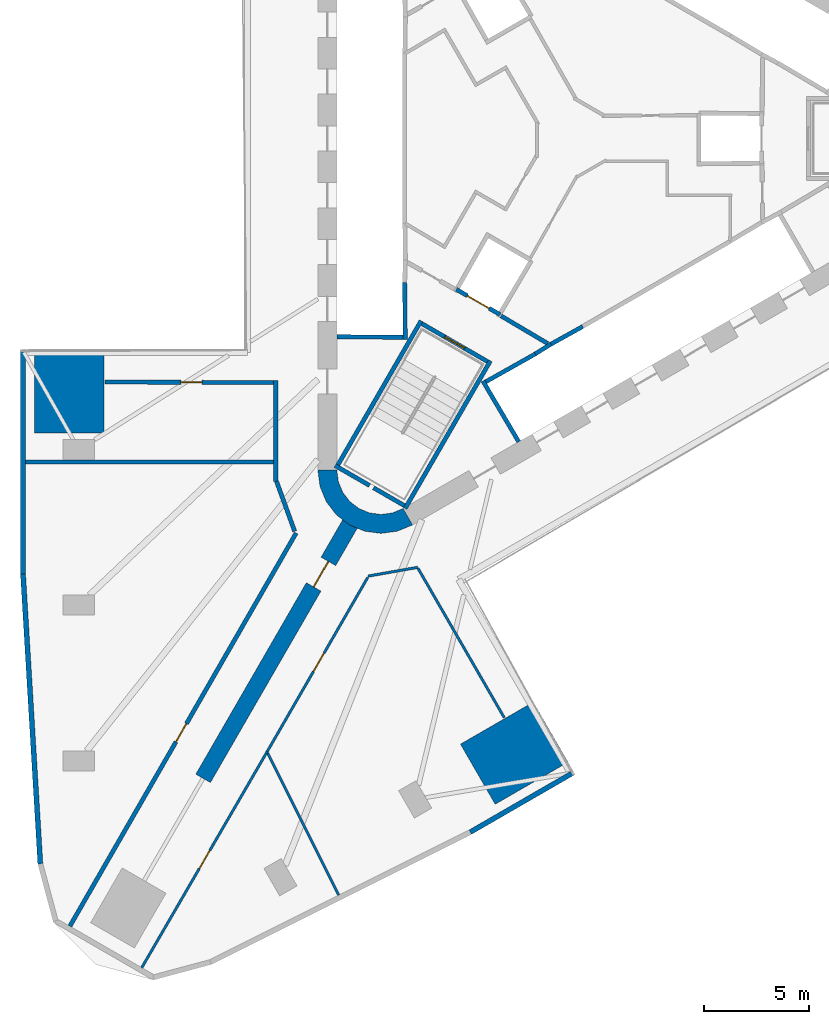
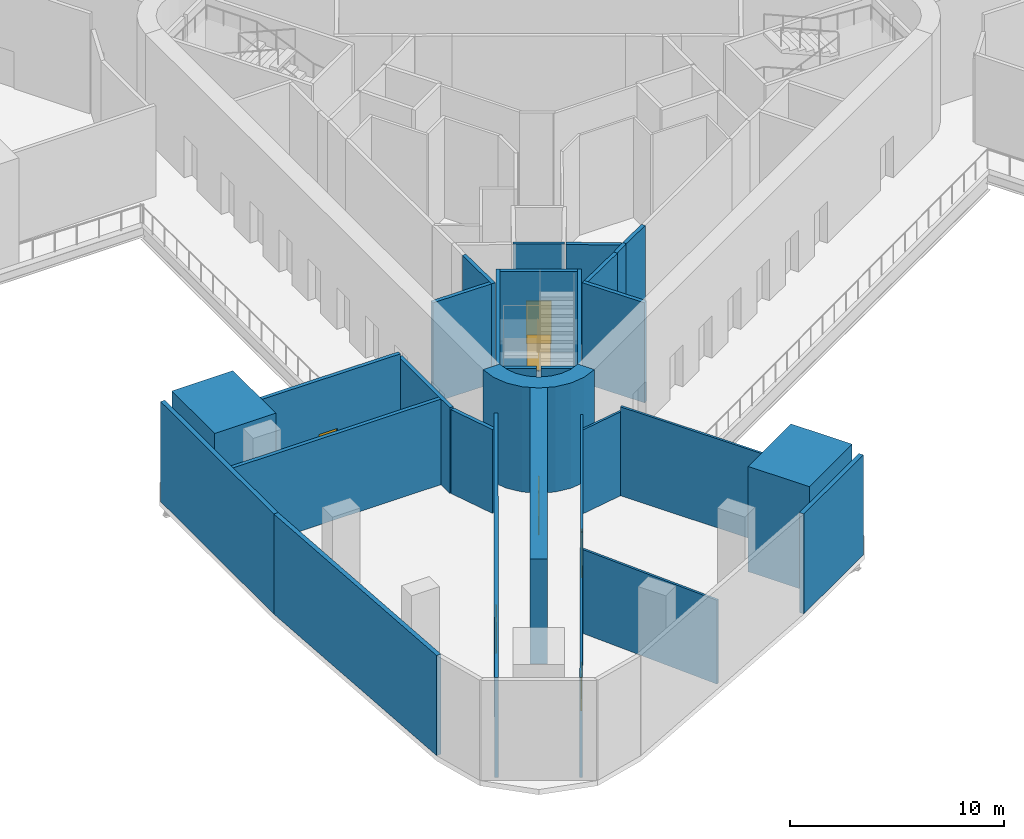
# One storey, part 3 of 11: 30 walls, 7 doors, 7 openings.
"""IFC4 building model written with IfcOpenShell, lengths in metres."""

from ifc_helpers import new_model, si_unit, direction, frame, frame_2d, origin, place, context, subcontext, project, spatial, polyline, rectangle, outline, extrude, material, layer, layer_set, type_object, element, fill, save


model = new_model("IFC4")

# Units and contexts
model_context = context("Model", 3, precision=1e-05, world=origin(), true_north=direction((0.0, 1.0)))
body_context = subcontext(model_context, "Body", "Model", "MODEL_VIEW")
ifc_project = project(units=[si_unit("LENGTHUNIT", "METRE"), si_unit("AREAUNIT", "SQUARE_METRE"), si_unit("VOLUMEUNIT", "CUBIC_METRE"), si_unit("PLANEANGLEUNIT", "RADIAN"), si_unit("MASSUNIT", "GRAM", prefix="KILO")], contexts=[model_context])

# Site, building, storey
site_placement = place(None, origin())
site = spatial("IfcSite", under=ifc_project, at=site_placement, CompositionType="ELEMENT")
building_placement = place(site_placement, origin())
building = spatial("IfcBuilding", under=site, at=building_placement, Name="Tanit Gate Tower", CompositionType="ELEMENT")
storey_placement = place(building_placement, frame((0.0, 0.0, 27.5)))
storey = spatial("IfcBuildingStorey", under=building, at=storey_placement, Name="L04", CompositionType="ELEMENT", Elevation=27.5)

# Wall, opening, door
ifc_material_1 = material(Name="Concrete C60/75", Category="concrete")
ifc_layer_1 = layer(ifc_material_1, 0.800048828125)
ifc_layer_set_1 = layer_set([ifc_layer_1], Name="BUTTRESS FIN 800 C60/75")
wall_type_1 = type_object("IfcWallType", Name="BUTTRESS FIN 800 C60/75", PredefinedType="SHEAR", material=ifc_layer_set_1)
wall_1_placement = place(storey_placement, frame((-10.574951171875, -18.31640625, 0.0), z_axis=(0.0, 0.0, 1.0), x_axis=(-0.499996575515, -0.866027380903, 0.0)))
wall_1 = element("IfcWall", 1, at=wall_1_placement, inside=storey, type_object=wall_type_1, Name="BUTTRESS FIN", PredefinedType="SHEAR", context=body_context, shape_type="SweptSolid", body=[
    extrude(rectangle(XDim=13.9541015625, YDim=0.800048828125, at=frame_2d((6.97705078125, 0.0))), origin(), (0.0, 0.0, 1.0), 6.0),
])
opening_1_placement = place(wall_1_placement, frame((2.050048828125, 0.0, 0.0)))
opening_1 = element("IfcOpeningElement", 2, at=opening_1_placement, cuts=wall_1, Name="Opening P14-04-F-SW-1", PredefinedType="OPENING", context=body_context, shape_type="SweptSolid", body=[
    extrude(rectangle(XDim=1.39990234375, YDim=2.39990234375, at=frame_2d((0.699951171875, 1.199951171875))), frame((0.0, 0.41015625, 0.0), z_axis=(0.0, -1.0, 0.0), x_axis=(1.0, 0.0, 0.0)), (0.0, 0.0, 1.0), 0.820068359375),
])
ifc_material_2 = material(Name="Timber door leaf", Category="wood")
door_type_1 = type_object("IfcDoorType", Name="INT-DOOR-FIN-PAIR-1400", OperationType="NOTDEFINED", PredefinedType="NOTDEFINED", material=ifc_material_2)
door_1_placement = place(opening_1_placement, origin())
door_1 = element("IfcDoor", 3, at=door_1_placement, inside=storey, type_object=door_type_1, Name="Door P14-04-F-SW-1", OperationType="DOUBLE_DOOR_SINGLE_SWING", OverallHeight=2.39990234375, OverallWidth=1.39990234375, PredefinedType="NOTDEFINED", context=body_context, shape_type="SweptSolid", body=[
    extrude(rectangle(XDim=1.39990234375, YDim=2.39990234375, at=frame_2d((0.699951171875, 1.199951171875))), frame((0.0, 0.02490234375, 0.0), z_axis=(0.0, -1.0, 0.0), x_axis=(1.0, 0.0, 0.0)), (0.0, 0.0, 1.0), 0.050048828125),
])
fill(opening_1, door_1)

# Walls
ifc_material_3 = material(Name="Concrete C60/75", Category="concrete")
ifc_layer_2 = layer(ifc_material_3, 0.89990234375)
ifc_layer_set_2 = layer_set([ifc_layer_2], Name="CORE WALL 900 C60/75")
wall_type_2 = type_object("IfcWallType", Name="CORE WALL 900 C60/75", PredefinedType="SHEAR", material=ifc_layer_set_2)
wall_2_placement = place(storey_placement, origin())
element("IfcWall", 4, at=wall_2_placement, inside=storey, type_object=wall_type_2, Name="CORE WALL CORNER", PredefinedType="SHEAR", context=body_context, shape_type="SweptSolid", body=[
    extrude(outline(polyline([(-12.10009765625, -15.76171875), (-11.997802734375, -16.5380859375), (-11.697998046875, -17.26171875), (-11.22119140625, -17.883056640625), (-10.60009765625, -18.359619140625), (-9.87646484375, -18.659423828125), (-9.10009765625, -18.76171875), (-8.323486328125, -18.659423828125), (-7.60009765625, -18.359619140625), (-8.050048828125, -17.580322265625), (-8.556396484375, -17.7900390625), (-9.10009765625, -17.86181640625), (-9.6435546875, -17.7900390625), (-10.14990234375, -17.580322265625), (-10.5849609375, -17.24658203125), (-10.918701171875, -16.811767578125), (-11.12841796875, -16.30517578125), (-11.199951171875, -15.76171875), (-12.10009765625, -15.76171875)])), origin(), (0.0, 0.0, 1.0), 6.0),
])
ifc_material_4 = material(Name="Concrete C30/37 with bronze anodised aluminium cladding", Category="concrete")
ifc_layer_3 = layer(ifc_material_4, 0.239990234375)
ifc_layer_set_3 = layer_set([ifc_layer_3], Name="Facade wall bronze clad 240")
wall_type_3 = type_object("IfcWallType", Name="Facade wall bronze clad 240", PredefinedType="SOLIDWALL", material=ifc_layer_set_3)
wall_3_placement = place(storey_placement, frame((-26.107666015625, -10.119384765625, 0.0), z_axis=(0.0, 0.0, 1.0), x_axis=(6.9319284e-05, -0.999999997597, 0.0)))
element("IfcWall", 5, at=wall_3_placement, inside=storey, type_object=wall_type_3, Name="Bronze-clad facade wall L04 W2b", PredefinedType="SOLIDWALL", context=body_context, shape_type="SweptSolid", body=[
    extrude(rectangle(XDim=10.56591796875, YDim=0.239990234375, at=frame_2d((5.282958984375, 0.0))), origin(), (0.0, 0.0, 1.0), 5.699951171875),
])
wall_4_placement = place(storey_placement, frame((-26.10693359375, -20.685302734375, 0.0), z_axis=(0.0, 0.0, 1.0), x_axis=(0.059596169304, -0.998222568671, 0.0)))
element("IfcWall", 6, at=wall_4_placement, inside=storey, type_object=wall_type_3, Name="Bronze-clad facade wall L04 W3", PredefinedType="SOLIDWALL", context=body_context, shape_type="SweptSolid", body=[
    extrude(rectangle(XDim=13.80126953125, YDim=0.239990234375, at=frame_2d((6.900634765625, 0.0))), origin(), (0.0, 0.0, 1.0), 5.699951171875),
])
wall_5_placement = place(storey_placement, frame((-4.859130859375, -32.954345703125, 0.0), z_axis=(0.0, 0.0, 1.0), x_axis=(0.865999312459, 0.500045188778, 0.0)))
element("IfcWall", 7, at=wall_5_placement, inside=storey, type_object=wall_type_3, Name="Bronze-clad facade wall L04 SE2a", PredefinedType="SOLIDWALL", context=body_context, shape_type="SweptSolid", body=[
    extrude(rectangle(XDim=5.56591796875, YDim=0.239990234375, at=frame_2d((2.782958984375, 0.0))), origin(), (0.0, 0.0, 1.0), 5.699951171875),
])
ifc_material_5 = material(Name="Fire-rated gypsum board partition")
ifc_layer_4 = layer(ifc_material_5, 0.199951171875)
ifc_layer_set_4 = layer_set([ifc_layer_4], Name="INT-WALL-COMPARTMENT")
wall_type_4 = type_object("IfcWallType", Name="INT-WALL-COMPARTMENT", PredefinedType="PARTITIONING", material=ifc_layer_set_4)
wall_6_placement = place(storey_placement, frame((-3.400634765625, -8.43017578125, 0.0), z_axis=(0.0, 0.0, 1.0), x_axis=(0.860615607571, -0.509255118781, 0.0)))
element("IfcWall", 8, at=wall_6_placement, inside=storey, type_object=wall_type_4, Name="Wall Compartment W066", PredefinedType="PARTITIONING", context=body_context, shape_type="SweptSolid", body=[
    extrude(rectangle(XDim=2.58056640625, YDim=0.199951171875, at=frame_2d((1.290283203125, 0.0))), origin(), (0.0, 0.0, 1.0), 5.699951171875),
])
wall_7_placement = place(storey_placement, frame((-14.10107421875, -11.500244140625, 0.0), z_axis=(0.0, 0.0, 1.0), x_axis=(0.000254660275, -0.999999967574, 0.0)))
element("IfcWall", 9, at=wall_7_placement, inside=storey, type_object=wall_type_4, Name="Wall Compartment W093", PredefinedType="PARTITIONING", context=body_context, shape_type="SweptSolid", body=[
    extrude(rectangle(XDim=4.79345703125, YDim=0.199951171875, at=frame_2d((2.396728515625, 0.0))), origin(), (0.0, 0.0, 1.0), 4.8798828125),
])

# Wall, opening, door
wall_8_placement = place(storey_placement, frame((-22.203369140625, -11.570068359375, 0.0), z_axis=(0.0, 0.0, 1.0), x_axis=(0.999993072975, -0.003722096437, 0.0)))
wall_8 = element("IfcWall", 10, at=wall_8_placement, inside=storey, type_object=wall_type_4, Name="Wall Compartment W094", PredefinedType="PARTITIONING", context=body_context, shape_type="SweptSolid", body=[
    extrude(rectangle(XDim=8.002197265625, YDim=0.199951171875, at=frame_2d((4.0009765625, 0.0))), origin(), (0.0, 0.0, 1.0), 5.169921875),
])
opening_2_placement = place(wall_8_placement, frame((3.60009765625, 0.0, 0.0)))
opening_2 = element("IfcOpeningElement", 11, at=opening_2_placement, cuts=wall_8, Name="Opening F10-04-17", PredefinedType="OPENING", context=body_context, shape_type="SweptSolid", body=[
    extrude(rectangle(XDim=1.0, YDim=2.10009765625, at=frame_2d((0.5, 1.050048828125))), frame((0.0, 0.10986328125, 0.0), z_axis=(0.0, -1.0, 0.0), x_axis=(1.0, 0.0, 0.0)), (0.0, 0.0, 1.0), 0.219970703125),
])
ifc_material_6 = material(Name="Fire-rated steel door leaf", Category="steel")
door_type_2 = type_object("IfcDoorType", Name="INT-DOOR-FIRE-1000", OperationType="NOTDEFINED", PredefinedType="USERDEFINED", material=ifc_material_6)
door_2_placement = place(opening_2_placement, origin())
door_2 = element("IfcDoor", 12, at=door_2_placement, inside=storey, type_object=door_type_2, Name="Door F10-04-17", ObjectType="FIRE DOOR", OperationType="SINGLE_SWING_LEFT", OverallHeight=2.10009765625, OverallWidth=1.0, PredefinedType="USERDEFINED", context=body_context, shape_type="SweptSolid", body=[
    extrude(rectangle(XDim=1.0, YDim=2.10009765625, at=frame_2d((0.5, 1.050048828125))), frame((0.0, 0.02490234375, 0.0), z_axis=(0.0, -1.0, 0.0), x_axis=(1.0, 0.0, 0.0)), (0.0, 0.0, 1.0), 0.050048828125),
])
fill(opening_2, door_2)

wall_9_placement = place(storey_placement, frame((-23.880859375, -37.42041015625, 0.0), z_axis=(0.0, 0.0, 1.0), x_axis=(0.498838330943, 0.866695055704, 0.0)))
wall_9 = element("IfcWall", 13, at=wall_9_placement, inside=storey, type_object=wall_type_4, Name="Wall Compartment W095", PredefinedType="PARTITIONING", context=body_context, shape_type="SweptSolid", body=[
    extrude(rectangle(XDim=21.545166015625, YDim=0.199951171875, at=frame_2d((10.7724609375, 0.0))), origin(), (0.0, 0.0, 1.0), 5.699951171875),
])
opening_3_placement = place(wall_9_placement, frame((10.099365234375, 0.0, 0.0)))
opening_3 = element("IfcOpeningElement", 14, at=opening_3_placement, cuts=wall_9, Name="Opening F10-04-18", PredefinedType="OPENING", context=body_context, shape_type="SweptSolid", body=[
    extrude(rectangle(XDim=1.0, YDim=2.10009765625, at=frame_2d((0.5, 1.050048828125))), frame((0.0, 0.10986328125, 0.0), z_axis=(0.0, -1.0, 0.0), x_axis=(1.0, 0.0, 0.0)), (0.0, 0.0, 1.0), 0.219970703125),
])
door_3_placement = place(opening_3_placement, origin())
door_3 = element("IfcDoor", 15, at=door_3_placement, inside=storey, type_object=door_type_2, Name="Door F10-04-18", ObjectType="FIRE DOOR", OperationType="SINGLE_SWING_RIGHT", OverallHeight=2.10009765625, OverallWidth=1.0, PredefinedType="USERDEFINED", context=body_context, shape_type="SweptSolid", body=[
    extrude(rectangle(XDim=1.0, YDim=2.10009765625, at=frame_2d((0.5, 1.050048828125))), frame((0.0, 0.02490234375, 0.0), z_axis=(0.0, -1.0, 0.0), x_axis=(1.0, 0.0, 0.0)), (0.0, 0.0, 1.0), 0.050048828125),
])
fill(opening_3, door_3)

# Walls
wall_10_placement = place(storey_placement, frame((-14.06591796875, -16.28759765625, 0.0), z_axis=(0.0, 0.0, 1.0), x_axis=(0.34185155067, -0.939753966368, 0.0)))
element("IfcWall", 16, at=wall_10_placement, inside=storey, type_object=wall_type_4, Name="Wall Compartment W096", PredefinedType="PARTITIONING", context=body_context, shape_type="SweptSolid", body=[
    extrude(rectangle(XDim=2.529541015625, YDim=0.199951171875, at=frame_2d((1.2646484375, 0.0))), origin(), (0.0, 0.0, 1.0), 4.780029296875),
])
wall_11_placement = place(storey_placement, frame((-14.199951171875, -15.37158203125, 0.0), z_axis=(0.0, 0.0, 1.0), x_axis=(-0.999999998068, -6.2161994e-05, 0.0)))
element("IfcWall", 17, at=wall_11_placement, inside=storey, type_object=wall_type_4, Name="Wall Compartment W102", PredefinedType="PARTITIONING", context=body_context, shape_type="SweptSolid", body=[
    extrude(rectangle(XDim=11.782470703125, YDim=0.199951171875, at=frame_2d((5.89111328125, 0.0))), origin(), (0.0, 0.0, 1.0), 4.8798828125),
])

# Wall, opening, door
ifc_material_7 = material(Name="Gypsum board partition")
ifc_layer_5 = layer(ifc_material_7, 0.1201171875)
ifc_layer_set_5 = layer_set([ifc_layer_5], Name="INT-WALL-PARTITION")
wall_type_5 = type_object("IfcWallType", Name="INT-WALL-PARTITION", PredefinedType="PARTITIONING", material=ifc_layer_set_5)
wall_12_placement = place(storey_placement, frame((-14.5087890625, -29.129638671875, 0.0), z_axis=(0.0, 0.0, 1.0), x_axis=(-0.502061062741, -0.864832174054, 0.0)))
wall_12 = element("IfcWall", 18, at=wall_12_placement, inside=storey, type_object=wall_type_5, Name="Wall Partition W117", PredefinedType="PARTITIONING", context=body_context, shape_type="SweptSolid", body=[
    extrude(rectangle(XDim=11.8662109375, YDim=0.1201171875, at=frame_2d((5.93310546875, 0.0))), origin(), (0.0, 0.0, 1.0), 5.699951171875),
])
opening_4_placement = place(wall_12_placement, frame((5.432373046875, 0.0, 0.0)))
opening_4 = element("IfcOpeningElement", 19, at=opening_4_placement, cuts=wall_12, Name="Opening D10-04-24", PredefinedType="OPENING", context=body_context, shape_type="SweptSolid", body=[
    extrude(rectangle(XDim=1.0, YDim=2.10009765625, at=frame_2d((0.5, 1.050048828125))), frame((0.0, 0.070068359375, 0.0), z_axis=(0.0, -1.0, 0.0), x_axis=(1.0, 0.0, 0.0)), (0.0, 0.0, 1.0), 0.14013671875),
])
ifc_material_8 = material(Name="Timber door leaf", Category="wood")
door_type_3 = type_object("IfcDoorType", Name="INT-DOOR-SINGLE-1000", OperationType="NOTDEFINED", PredefinedType="NOTDEFINED", material=ifc_material_8)
door_4_placement = place(opening_4_placement, origin())
door_4 = element("IfcDoor", 20, at=door_4_placement, inside=storey, type_object=door_type_3, Name="Door D10-04-24", OperationType="SINGLE_SWING_LEFT", OverallHeight=2.10009765625, OverallWidth=1.0, PredefinedType="NOTDEFINED", context=body_context, shape_type="SweptSolid", body=[
    extrude(rectangle(XDim=1.0, YDim=2.10009765625, at=frame_2d((0.5, 1.050048828125))), frame((0.0, 0.02490234375, 0.0), z_axis=(0.0, -1.0, 0.0), x_axis=(1.0, 0.0, 0.0)), (0.0, 0.0, 1.0), 0.050048828125),
])
fill(opening_4, door_4)

# Wall
wall_13_placement = place(storey_placement, frame((-9.7197265625, -20.79248046875, 0.0), z_axis=(0.0, 0.0, 1.0), x_axis=(0.984776352386, 0.173826165409, 0.0)))
element("IfcWall", 21, at=wall_13_placement, inside=storey, type_object=wall_type_5, Name="Wall Partition W118", PredefinedType="PARTITIONING", context=body_context, shape_type="SweptSolid", body=[
    extrude(rectangle(XDim=2.3876953125, YDim=0.1201171875, at=frame_2d((1.19384765625, 0.0))), origin(), (0.0, 0.0, 1.0), 4.780029296875),
])

# Wall, opening, door
wall_14_placement = place(storey_placement, frame((-9.7314453125, -20.85546875, 0.0), z_axis=(0.0, 0.0, 1.0), x_axis=(-0.500000422144, -0.866025160059, 0.0)))
wall_14 = element("IfcWall", 22, at=wall_14_placement, inside=storey, type_object=wall_type_5, Name="Wall Partition W119", PredefinedType="PARTITIONING", context=body_context, shape_type="SweptSolid", body=[
    extrude(rectangle(XDim=9.55419921875, YDim=0.1201171875, at=frame_2d((4.777099609375, 0.0))), origin(), (0.0, 0.0, 1.0), 5.699951171875),
])
opening_5_placement = place(wall_14_placement, frame((4.151611328125, 0.0, 0.0)))
opening_5 = element("IfcOpeningElement", 23, at=opening_5_placement, cuts=wall_14, Name="Opening D10-04-25", PredefinedType="OPENING", context=body_context, shape_type="SweptSolid", body=[
    extrude(rectangle(XDim=1.0, YDim=2.10009765625, at=frame_2d((0.5, 1.050048828125))), frame((0.0, 0.070068359375, 0.0), z_axis=(0.0, -1.0, 0.0), x_axis=(1.0, 0.0, 0.0)), (0.0, 0.0, 1.0), 0.14013671875),
])
door_5_placement = place(opening_5_placement, origin())
door_5 = element("IfcDoor", 24, at=door_5_placement, inside=storey, type_object=door_type_3, Name="Door D10-04-25", OperationType="SINGLE_SWING_RIGHT", OverallHeight=2.10009765625, OverallWidth=1.0, PredefinedType="NOTDEFINED", context=body_context, shape_type="SweptSolid", body=[
    extrude(rectangle(XDim=1.0, YDim=2.10009765625, at=frame_2d((0.5, 1.050048828125))), frame((0.0, 0.02490234375, 0.0), z_axis=(0.0, -1.0, 0.0), x_axis=(1.0, 0.0, 0.0)), (0.0, 0.0, 1.0), 0.050048828125),
])
fill(opening_5, door_5)

# Walls
wall_15_placement = place(storey_placement, frame((-7.35009765625, -20.409423828125, 0.0), z_axis=(0.0, 0.0, 1.0), x_axis=(0.500015278874, -0.866016582343, 0.0)))
element("IfcWall", 25, at=wall_15_placement, inside=storey, type_object=wall_type_5, Name="Wall Partition W120", PredefinedType="PARTITIONING", context=body_context, shape_type="SweptSolid", body=[
    extrude(rectangle(XDim=8.203369140625, YDim=0.1201171875, at=frame_2d((4.1015625, 0.0))), origin(), (0.0, 0.0, 1.0), 5.070068359375),
])
wall_16_placement = place(storey_placement, frame((-14.483154296875, -29.20556640625, 0.0), z_axis=(0.0, 0.0, 1.0), x_axis=(0.447291377977, -0.894388295533, 0.0)))
element("IfcWall", 26, at=wall_16_placement, inside=storey, type_object=wall_type_5, Name="Wall Partition W125", PredefinedType="PARTITIONING", context=body_context, shape_type="SweptSolid", body=[
    extrude(rectangle(XDim=7.532958984375, YDim=0.1201171875, at=frame_2d((3.7666015625, 0.0))), origin(), (0.0, 0.0, 1.0), 4.780029296875),
])
ifc_material_9 = material(Name="Gypsum shaft wall system")
ifc_layer_6 = layer(ifc_material_9, 0.199951171875)
ifc_layer_set_6 = layer_set([ifc_layer_6], Name="INT-WALL-SHAFT")
wall_type_6 = type_object("IfcWallType", Name="INT-WALL-SHAFT", PredefinedType="PLUMBINGWALL", material=ifc_layer_set_6)
wall_17_placement = place(storey_placement, frame((-7.97900390625, -6.85009765625, 0.0), z_axis=(0.0, 0.0, 1.0), x_axis=(0.011121475088, -0.999938154483, 0.0)))
element("IfcWall", 27, at=wall_17_placement, inside=storey, type_object=wall_type_6, Name="Wall Shaft W011", PredefinedType="PLUMBINGWALL", context=body_context, shape_type="SweptSolid", body=[
    extrude(rectangle(XDim=2.7001953125, YDim=0.199951171875, at=frame_2d((1.35009765625, 0.0))), origin(), (0.0, 0.0, 1.0), 5.699951171875),
])
wall_18_placement = place(storey_placement, frame((-8.050048828125, -9.448974609375, 0.0), z_axis=(0.0, 0.0, 1.0), x_axis=(-0.999957467379, 0.009222983926, 0.0)))
element("IfcWall", 28, at=wall_18_placement, inside=storey, type_object=wall_type_6, Name="Wall Shaft W012", PredefinedType="PLUMBINGWALL", context=body_context, shape_type="SweptSolid", body=[
    extrude(rectangle(XDim=3.150146484375, YDim=0.199951171875, at=frame_2d((1.5751953125, 0.0))), origin(), (0.0, 0.0, 1.0), 5.699951171875),
])
wall_19_placement = place(storey_placement, frame((-2.557861328125, -14.409423828125, 0.0), z_axis=(0.0, 0.0, 1.0), x_axis=(-0.507997497166, 0.861358544901, 0.0)))
element("IfcWall", 29, at=wall_19_placement, inside=storey, type_object=wall_type_6, Name="Wall Shaft W027", PredefinedType="PLUMBINGWALL", context=body_context, shape_type="SweptSolid", body=[
    extrude(rectangle(XDim=3.350341796875, YDim=0.199951171875, at=frame_2d((1.67529296875, 0.0))), origin(), (0.0, 0.0, 1.0), 5.699951171875),
])
wall_20_placement = place(storey_placement, frame((-1.7685546875, -10.23681640625, 0.0), z_axis=(0.0, 0.0, 1.0), x_axis=(-0.871534483978, -0.490334215854, 0.0)))
element("IfcWall", 30, at=wall_20_placement, inside=storey, type_object=wall_type_6, Name="Wall Shaft W028", PredefinedType="PLUMBINGWALL", context=body_context, shape_type="SweptSolid", body=[
    extrude(rectangle(XDim=2.7001953125, YDim=0.199951171875, at=frame_2d((1.35009765625, 0.0))), origin(), (0.0, 0.0, 1.0), 5.699951171875),
])
wall_21_placement = place(storey_placement, frame((-1.02392578125, -9.77099609375, 0.0), z_axis=(0.0, 0.0, 1.0), x_axis=(-0.850348075135, -0.526220629693, 0.0)))
element("IfcWall", 31, at=wall_21_placement, inside=storey, type_object=wall_type_6, Name="Wall Shaft W029", PredefinedType="PLUMBINGWALL", context=body_context, shape_type="SweptSolid", body=[
    extrude(rectangle(XDim=0.878173828125, YDim=0.199951171875, at=frame_2d((0.43896484375, 0.0))), origin(), (0.0, 0.0, 1.0), 5.699951171875),
])
wall_22_placement = place(storey_placement, frame((-1.130126953125, -9.831298828125, 0.0), z_axis=(0.0, 0.0, 1.0), x_axis=(0.874269620932, 0.485440655401, 0.0)))
element("IfcWall", 32, at=wall_22_placement, inside=storey, type_object=wall_type_6, Name="Wall Shaft W030", PredefinedType="PLUMBINGWALL", context=body_context, shape_type="SweptSolid", body=[
    extrude(rectangle(XDim=1.8447265625, YDim=0.199951171875, at=frame_2d((0.92236328125, 0.0))), origin(), (0.0, 0.0, 1.0), 5.699951171875),
])

# Wall, opening, door
wall_23_placement = place(storey_placement, frame((-3.44580078125, -8.3681640625, 0.0), z_axis=(0.0, 0.0, 1.0), x_axis=(-0.866024647952, 0.500001309137, 0.0)))
wall_23 = element("IfcWall", 33, at=wall_23_placement, inside=storey, type_object=wall_type_6, Name="Wall Shaft W056", PredefinedType="PLUMBINGWALL", context=body_context, shape_type="SweptSolid", body=[
    extrude(rectangle(XDim=2.39990234375, YDim=0.199951171875, at=frame_2d((1.199951171875, 0.0))), origin(), (0.0, 0.0, 1.0), 5.699951171875),
])
opening_6_placement = place(wall_23_placement, frame((0.60009765625, 0.0, 0.0)))
opening_6 = element("IfcOpeningElement", 34, at=opening_6_placement, cuts=wall_23, Name="Opening LDFL3-L04", PredefinedType="OPENING", context=body_context, shape_type="SweptSolid", body=[
    extrude(rectangle(XDim=1.199951171875, YDim=2.39990234375, at=frame_2d((0.60009765625, 1.199951171875))), frame((0.0, 0.10986328125, 0.0), z_axis=(0.0, -1.0, 0.0), x_axis=(1.0, 0.0, 0.0)), (0.0, 0.0, 1.0), 0.219970703125),
])
ifc_material_10 = material(Name="Stainless steel sliding door leaf", Category="steel")
door_type_4 = type_object("IfcDoorType", Name="INT-DOOR-LANDING-1200", OperationType="NOTDEFINED", PredefinedType="USERDEFINED", material=ifc_material_10)
door_6_placement = place(opening_6_placement, origin())
door_6 = element("IfcDoor", 35, at=door_6_placement, inside=storey, type_object=door_type_4, Name="Door LDFL3-L04", ObjectType="LANDING DOOR", OperationType="SLIDING_TO_LEFT", OverallHeight=2.39990234375, OverallWidth=1.199951171875, PredefinedType="USERDEFINED", context=body_context, shape_type="SweptSolid", body=[
    extrude(rectangle(XDim=1.199951171875, YDim=2.39990234375, at=frame_2d((0.60009765625, 1.199951171875))), frame((0.0, 0.02490234375, 0.0), z_axis=(0.0, -1.0, 0.0), x_axis=(1.0, 0.0, 0.0)), (0.0, 0.0, 1.0), 0.050048828125),
])
fill(opening_6, door_6)

# Walls
ifc_material_11 = material(Name="Concrete C40/50", Category="concrete")
ifc_layer_7 = layer(ifc_material_11, 0.199951171875)
ifc_layer_set_7 = layer_set([ifc_layer_7], Name="INT-WALL-STAIR")
wall_type_7 = type_object("IfcWallType", Name="INT-WALL-STAIR", PredefinedType="SHEAR", material=ifc_layer_set_7)
wall_24_placement = place(storey_placement, frame((-3.904541015625, -10.56298828125, -0.300048828125), z_axis=(0.0, 0.0, 1.0), x_axis=(-0.500012932018, -0.866017937352, 0.0)))
element("IfcWall", 36, at=wall_24_placement, inside=storey, type_object=wall_type_7, Name="Wall Stair W051", PredefinedType="SHEAR", context=body_context, shape_type="SweptSolid", body=[
    extrude(rectangle(XDim=8.099853515625, YDim=0.199951171875, at=frame_2d((4.0498046875, 0.0))), origin(), (0.0, 0.0, 1.0), 6.0),
])
wall_25_placement = place(storey_placement, frame((-11.281982421875, -15.541015625, -0.300048828125), z_axis=(0.0, 0.0, 1.0), x_axis=(0.866000578957, -0.500042995397, 0.0)))
element("IfcWall", 37, at=wall_25_placement, inside=storey, type_object=wall_type_7, Name="Wall Stair W053", PredefinedType="SHEAR", context=body_context, shape_type="SweptSolid", body=[
    extrude(rectangle(XDim=1.889892578125, YDim=0.199951171875, at=frame_2d((0.94482421875, 0.0))), origin(), (0.0, 0.0, 1.0), 6.0),
])
wall_26_placement = place(storey_placement, frame((-9.454833984375, -16.59619140625, -0.300048828125), z_axis=(0.0, 0.0, 1.0), x_axis=(0.866038843867, -0.499976720371, 0.0)))
element("IfcWall", 38, at=wall_26_placement, inside=storey, type_object=wall_type_7, Name="Wall Stair W052", PredefinedType="SHEAR", context=body_context, shape_type="SweptSolid", body=[
    extrude(rectangle(XDim=1.68994140625, YDim=0.199951171875, at=frame_2d((0.844970703125, 0.0))), origin(), (0.0, 0.0, 1.0), 6.0),
])
wall_27_placement = place(storey_placement, frame((-7.195556640625, -8.662841796875, -0.300048828125), z_axis=(0.0, 0.0, 1.0), x_axis=(-0.499997992926, -0.866026562566, 0.0)))
element("IfcWall", 39, at=wall_27_placement, inside=storey, type_object=wall_type_7, Name="Wall Stair W054", PredefinedType="SHEAR", context=body_context, shape_type="SweptSolid", body=[
    extrude(rectangle(XDim=7.89990234375, YDim=0.199951171875, at=frame_2d((3.949951171875, 0.0))), origin(), (0.0, 0.0, 1.0), 6.0),
])

# Wall, opening, door
wall_28_placement = place(storey_placement, frame((-4.041259765625, -10.599365234375, -0.300048828125), z_axis=(0.0, 0.0, 1.0), x_axis=(-0.866047807691, 0.499961193289, 0.0)))
wall_28 = element("IfcWall", 40, at=wall_28_placement, inside=storey, type_object=wall_type_7, Name="Wall Stair W055", PredefinedType="SHEAR", context=body_context, shape_type="SweptSolid", body=[
    extrude(rectangle(XDim=3.599853515625, YDim=0.199951171875, at=frame_2d((1.7998046875, 0.0))), origin(), (0.0, 0.0, 1.0), 6.0),
])
opening_7_placement = place(wall_28_placement, frame((1.25, 0.0, 0.300048828125)))
opening_7 = element("IfcOpeningElement", 41, at=opening_7_placement, cuts=wall_28, Name="Opening S11-04-07", PredefinedType="OPENING", context=body_context, shape_type="SweptSolid", body=[
    extrude(rectangle(XDim=1.10009765625, YDim=2.10009765625, at=frame_2d((0.550048828125, 1.050048828125))), frame((0.0, 0.10986328125, 0.0), z_axis=(0.0, -1.0, 0.0), x_axis=(1.0, 0.0, 0.0)), (0.0, 0.0, 1.0), 0.219970703125),
])
ifc_material_12 = material(Name="Timber door leaf", Category="wood")
door_type_5 = type_object("IfcDoorType", Name="INT-DOOR-STAIR-1100", OperationType="NOTDEFINED", PredefinedType="USERDEFINED", material=ifc_material_12)
door_7_placement = place(opening_7_placement, origin())
door_7 = element("IfcDoor", 42, at=door_7_placement, inside=storey, type_object=door_type_5, Name="Door S11-04-07", ObjectType="FIRE DOOR", OperationType="SINGLE_SWING_LEFT", OverallHeight=2.10009765625, OverallWidth=1.10009765625, PredefinedType="USERDEFINED", context=body_context, shape_type="SweptSolid", body=[
    extrude(rectangle(XDim=1.10009765625, YDim=2.10009765625, at=frame_2d((0.550048828125, 1.050048828125))), frame((0.0, 0.02490234375, 0.0), z_axis=(0.0, -1.0, 0.0), x_axis=(1.0, 0.0, 0.0)), (0.0, 0.0, 1.0), 0.050048828125),
])
fill(opening_7, door_7)

# Walls
ifc_material_13 = material(Name="Concrete C60/75", Category="concrete")
ifc_layer_8 = layer(ifc_material_13, 4.0)
ifc_layer_set_8 = layer_set([ifc_layer_8], Name="PIER WALL 4000 C60/75")
wall_type_8 = type_object("IfcWallType", Name="PIER WALL 4000 C60/75", PredefinedType="SHEAR", material=ifc_layer_set_8)
wall_29_placement = place(storey_placement, origin())
element("IfcWall", 43, at=wall_29_placement, inside=storey, type_object=wall_type_8, Name="PIER WALL", PredefinedType="SHEAR", context=body_context, shape_type="SweptSolid", body=[
    extrude(outline(polyline([(-3.677734375, -31.6298828125), (-0.213623046875, -29.6298828125), (-1.86376953125, -26.77197265625), (-5.327880859375, -28.77197265625), (-3.677734375, -31.6298828125)])), origin(), (0.0, 0.0, 1.0), 6.0),
])
wall_30_placement = place(storey_placement, origin())
element("IfcWall", 44, at=wall_30_placement, inside=storey, type_object=wall_type_8, Name="PIER WALL", PredefinedType="SHEAR", context=body_context, shape_type="SweptSolid", body=[
    extrude(outline(polyline([(-25.553466796875, -10.0), (-25.553466796875, -14.0), (-22.25341796875, -14.0), (-22.25341796875, -10.0), (-25.553466796875, -10.0)])), origin(), (0.0, 0.0, 1.0), 6.0),
])

save(model, "model.ifc")
